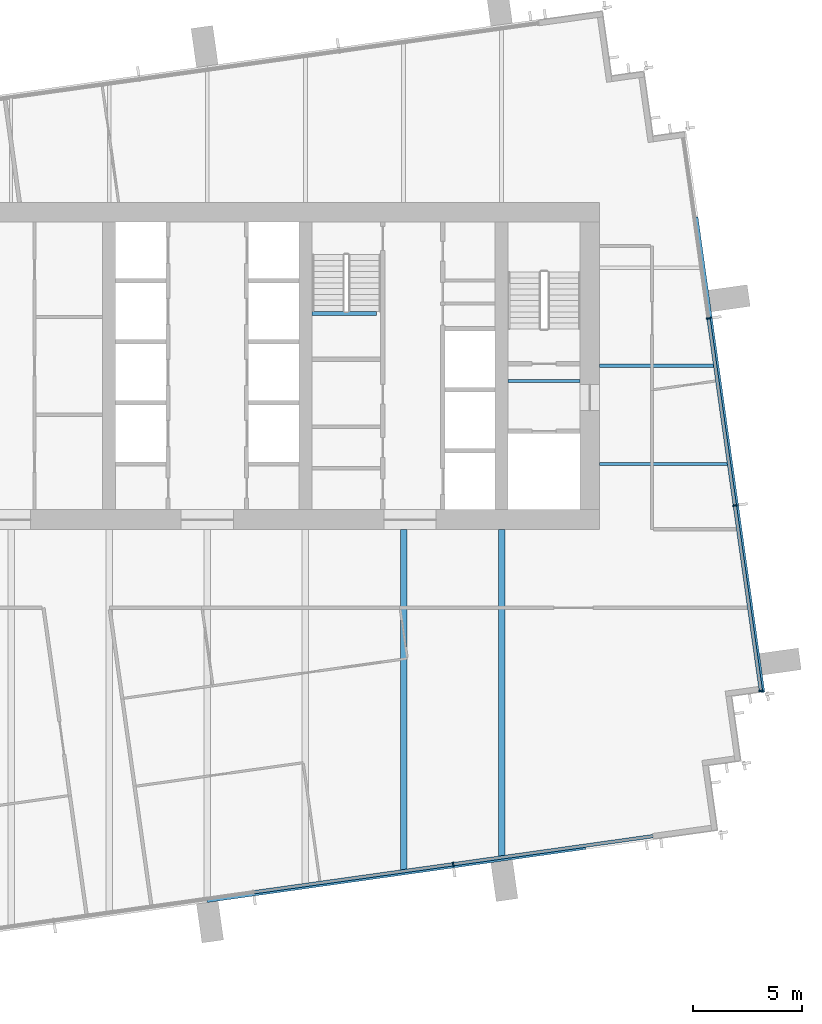
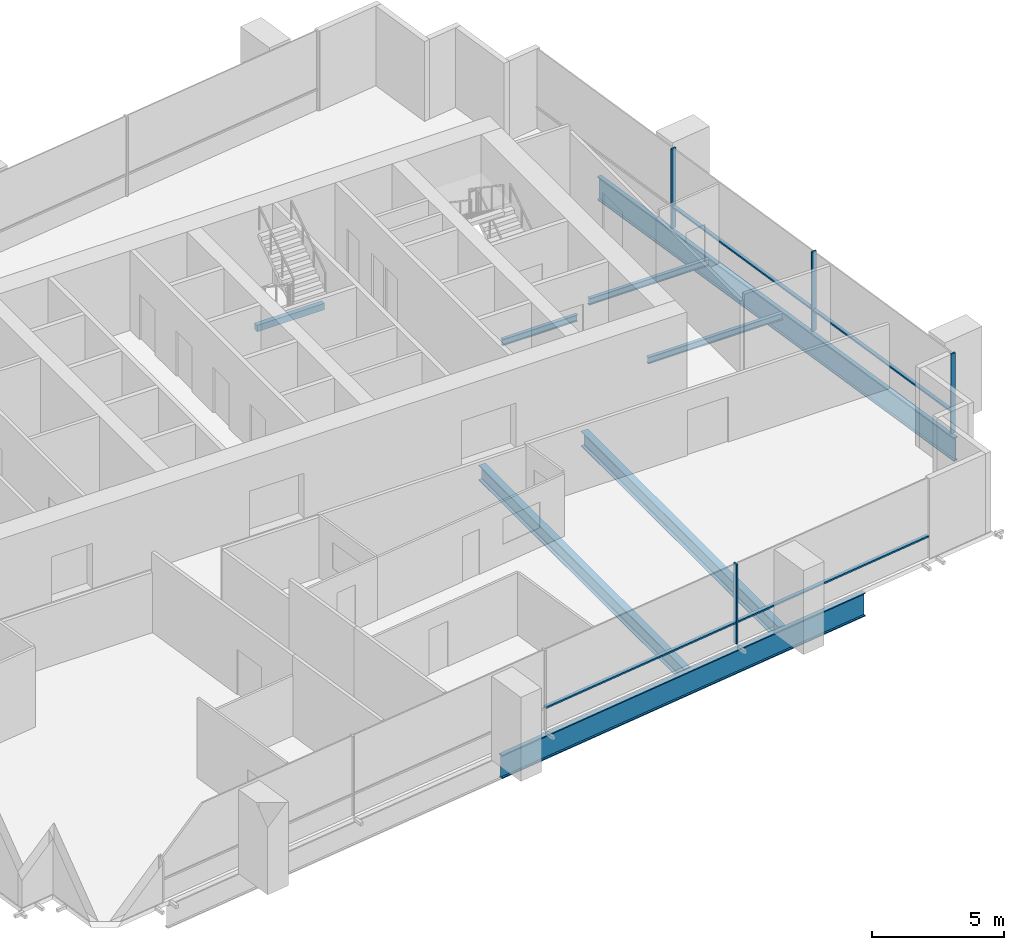
# One storey, part 4 of 12: 8 beams, 8 members, 2 elements without a shape of their own.
"""IFC4 building model written with IfcOpenShell, lengths in metres."""

from ifc_helpers import new_model, si_unit, direction, frame, origin, origin_2d, place, context, subcontext, project, spatial, rectangle, i_section, extrude, material, layer, layer_set, material_profile, profile_set, type_object, element, aggregate, save


model = new_model("IFC4")

# Units and contexts
model_context = context("Model", 3, precision=1e-05, world=origin(), true_north=direction((0.0, 1.0)))
body_context = subcontext(model_context, "Body", "Model", "MODEL_VIEW")
ifc_project = project(units=[si_unit("LENGTHUNIT", "METRE"), si_unit("AREAUNIT", "SQUARE_METRE"), si_unit("VOLUMEUNIT", "CUBIC_METRE"), si_unit("PLANEANGLEUNIT", "RADIAN"), si_unit("MASSUNIT", "GRAM", prefix="KILO")], contexts=[model_context])

# Site, building, storey
site_placement = place(None, origin())
site = spatial("IfcSite", under=ifc_project, at=site_placement, CompositionType="ELEMENT")
building_placement = place(site_placement, origin())
building = spatial("IfcBuilding", under=site, at=building_placement, Name="Rattan Terrace Tower", CompositionType="ELEMENT")
storey_placement = place(building_placement, frame((0.0, 0.0, 259.0)))
storey = spatial("IfcBuildingStorey", under=building, at=storey_placement, Name="L59", CompositionType="ELEMENT", Elevation=259.0)

# Beams
ifc_material_1 = material(Name="Concrete C40/50", Category="concrete")
ifc_material_profile_1 = material_profile(ifc_material_1, rectangle(XDim=0.199951171875, YDim=0.300048828125, at=origin_2d()), Name="RC 200x300")
ifc_profile_set_1 = profile_set([ifc_material_profile_1], Name="Concrete C40/50")
beam_type_1 = type_object("IfcBeamType", Name="Core landing beam RC 200x300", PredefinedType="BEAM", material=ifc_profile_set_1)
beam_1_placement = place(storey_placement, frame((4.800048828125, 2.39990234375, 1.60009765625), z_axis=(1.0, 0.0, 0.0), x_axis=(0.0, 1.0, 0.0)))
element("IfcBeam", 1, at=beam_1_placement, inside=storey, type_object=beam_type_1, Name="st-S3-L59 landing 1 edge beam", PredefinedType="BEAM", context=body_context, shape_type="SweptSolid", body=[
    extrude(rectangle(XDim=0.199951171875, YDim=0.300048828125, at=origin_2d()), origin(), (0.0, 0.0, 1.0), 2.949951171875),
])
ifc_material_2 = material(Name="Steel S460", Category="steel")
ifc_material_profile_2 = material_profile(ifc_material_2, i_section(OverallWidth=0.179931640625, OverallDepth=1.10009765625, WebThickness=0.01611328125, FlangeThickness=0.050048828125, at=origin_2d()), Name="PG 1100x180-16-50")
ifc_profile_set_2 = profile_set([ifc_material_profile_2], Name="Steel S460")
beam_type_2 = type_object("IfcBeamType", Name="Frame edge girder PG 1100x180-16-50", PredefinedType="SPANDREL", material=ifc_profile_set_2)
beam_2_placement = place(storey_placement, frame((17.347900390625, -22.087890625, -0.75), z_axis=(-0.990265878298, -0.139188685889, 0.0), x_axis=(0.139188685889, -0.990265878298, 0.0)))
element("IfcBeam", 2, at=beam_2_placement, inside=storey, type_object=beam_type_2, Name="gdr-L59-002", PredefinedType="SPANDREL", context=body_context, shape_type="SweptSolid", body=[
    extrude(i_section(OverallWidth=0.179931640625, OverallDepth=1.10009765625, WebThickness=0.01611328125, FlangeThickness=0.050048828125, at=origin_2d()), origin(), (0.0, 0.0, 1.0), 17.531494140625),
])
beam_3_placement = place(storey_placement, frame((22.4189453125, 6.822998046875, -0.75), z_axis=(0.139180574959, -0.990267018311, 0.0), x_axis=(0.990267018311, 0.139180574959, 0.0)))
element("IfcBeam", 3, at=beam_3_placement, inside=storey, type_object=beam_type_2, Name="gdr-L59-004", PredefinedType="SPANDREL", context=body_context, shape_type="SweptSolid", body=[
    extrude(i_section(OverallWidth=0.179931640625, OverallDepth=1.10009765625, WebThickness=0.01611328125, FlangeThickness=0.050048828125, at=origin_2d()), origin(), (0.0, 0.0, 1.0), 22.014404296875),
])
ifc_material_3 = material(Name="Steel S355", Category="steel")
ifc_material_profile_3 = material_profile(ifc_material_3, i_section(OverallWidth=0.300048828125, OverallDepth=0.699951171875, WebThickness=0.01708984375, FlangeThickness=0.031982421875, FilletRadius=0.027099609375, at=origin_2d()), Name="HE 700 B")
ifc_profile_set_3 = profile_set([ifc_material_profile_3], Name="Steel S355")
beam_type_3 = type_object("IfcBeamType", Name="Frame floor beam HE 700 B", PredefinedType="JOIST", material=ifc_profile_set_3)
beam_4_placement = place(storey_placement, frame((9.0, -23.14892578125, -0.550048828125), z_axis=(0.0, 1.0, 0.0), x_axis=(-1.0, 0.0, 0.0)))
element("IfcBeam", 4, at=beam_4_placement, inside=storey, type_object=beam_type_3, Name="bm-L59-008", PredefinedType="JOIST", context=body_context, shape_type="SweptSolid", body=[
    extrude(i_section(OverallWidth=0.300048828125, OverallDepth=0.699951171875, WebThickness=0.01708984375, FlangeThickness=0.031982421875, FilletRadius=0.027099609375, at=origin_2d()), origin(), (0.0, 0.0, 1.0), 15.64892578125),
])
beam_5_placement = place(storey_placement, frame((13.5, -22.51708984375, -0.550048828125), z_axis=(0.0, 1.0, 0.0), x_axis=(-1.0, 0.0, 0.0)))
element("IfcBeam", 5, at=beam_5_placement, inside=storey, type_object=beam_type_3, Name="bm-L59-009", PredefinedType="JOIST", context=body_context, shape_type="SweptSolid", body=[
    extrude(i_section(OverallWidth=0.300048828125, OverallDepth=0.699951171875, WebThickness=0.01708984375, FlangeThickness=0.031982421875, FilletRadius=0.027099609375, at=origin_2d()), origin(), (0.0, 0.0, 1.0), 15.01708984375),
])
ifc_material_4 = material(Name="Steel S355", Category="steel")
ifc_material_profile_4 = material_profile(ifc_material_4, i_section(OverallWidth=0.14990234375, OverallDepth=0.300048828125, WebThickness=0.007080078125, FlangeThickness=0.0107421875, FilletRadius=0.014892578125, at=origin_2d()), Name="IPE 300")
ifc_profile_set_4 = profile_set([ifc_material_profile_4], Name="Steel S355")
beam_type_4 = type_object("IfcBeamType", Name="Frame floor beam IPE 300", PredefinedType="JOIST", material=ifc_profile_set_4)
beam_6_placement = place(storey_placement, frame((13.800048828125, -0.695068359375, -0.35009765625), z_axis=(1.0, 0.0, 0.0), x_axis=(0.0, 1.0, 0.0)))
element("IfcBeam", 6, at=beam_6_placement, inside=storey, type_object=beam_type_4, Name="bm-L59-002", PredefinedType="JOIST", context=body_context, shape_type="SweptSolid", body=[
    extrude(i_section(OverallWidth=0.14990234375, OverallDepth=0.300048828125, WebThickness=0.007080078125, FlangeThickness=0.0107421875, FilletRadius=0.014892578125, at=origin_2d()), origin(), (0.0, 0.0, 1.0), 3.300048828125),
])
beam_7_placement = place(storey_placement, frame((18.0, -4.5, -0.35009765625), z_axis=(1.0, 0.0, 0.0), x_axis=(0.0, 1.0, 0.0)))
element("IfcBeam", 7, at=beam_7_placement, inside=storey, type_object=beam_type_4, Name="bm-L59-011", PredefinedType="JOIST", context=body_context, shape_type="SweptSolid", body=[
    extrude(i_section(OverallWidth=0.14990234375, OverallDepth=0.300048828125, WebThickness=0.007080078125, FlangeThickness=0.0107421875, FilletRadius=0.014892578125, at=origin_2d()), origin(), (0.0, 0.0, 1.0), 5.908935546875),
])
beam_8_placement = place(storey_placement, frame((18.0, 0.0, -0.35009765625), z_axis=(1.0, 0.0, 0.0), x_axis=(0.0, 1.0, 0.0)))
element("IfcBeam", 8, at=beam_8_placement, inside=storey, type_object=beam_type_4, Name="bm-L59-013", PredefinedType="JOIST", context=body_context, shape_type="SweptSolid", body=[
    extrude(i_section(OverallWidth=0.14990234375, OverallDepth=0.300048828125, WebThickness=0.007080078125, FlangeThickness=0.0107421875, FilletRadius=0.014892578125, at=origin_2d()), origin(), (0.0, 0.0, 1.0), 5.277099609375),
])

# Curtain wall, members
ifc_material_5 = material(Name="Aluminium and laminated glass", Category="aluminium")
ifc_layer = layer(ifc_material_5, 0.199951171875)
ifc_layer_set = layer_set([ifc_layer], Name="High-Zone Unitised Curtain Wall")
curtain_wall_type = type_object("IfcCurtainWallType", Name="High-Zone Unitised Curtain Wall", PredefinedType="NOTDEFINED", material=ifc_layer_set)
curtain_wall_1_placement = place(storey_placement, origin())
curtain_wall_1 = element("IfcCurtainWall", 9, at=curtain_wall_1_placement, inside=storey, type_object=curtain_wall_type, Name="High-zone curtain wall L59-1", PredefinedType="NOTDEFINED")
ifc_material_6 = material(Name="Aluminium", Category="aluminium")
ifc_material_profile_5 = material_profile(ifc_material_6, rectangle(XDim=0.070068359375, YDim=0.199951171875, at=origin_2d()), Name="Aluminium 70x200")
ifc_profile_set_5 = profile_set([ifc_material_profile_5], Name="Aluminium")
member_type_1 = type_object("IfcMemberType", Name="High-Zone CW Mullion 70x200", PredefinedType="MULLION", material=ifc_profile_set_5)
member_1_placement = place(storey_placement, frame((25.3916015625, -14.908447265625, 0.0), z_axis=(0.0, 0.0, 1.0), x_axis=(-0.139191775431, 0.990265444036, 0.0)))
member_1 = element("IfcMember", 10, at=member_1_placement, type_object=member_type_1, Name="Mullion cwl-L59-001.1", PredefinedType="MULLION", context=body_context, shape_type="SweptSolid", body=[
    extrude(rectangle(XDim=0.070068359375, YDim=0.199951171875, at=origin_2d()), origin(), (0.0, 0.0, 1.0), 3.699951171875),
])
member_2_placement = place(storey_placement, frame((24.1962890625, -6.405029296875, 0.0), z_axis=(0.0, 0.0, 1.0), x_axis=(-0.139191775431, 0.990265444036, 0.0)))
member_2 = element("IfcMember", 11, at=member_2_placement, type_object=member_type_1, Name="Mullion cwl-L59-001.2", PredefinedType="MULLION", context=body_context, shape_type="SweptSolid", body=[
    extrude(rectangle(XDim=0.070068359375, YDim=0.199951171875, at=origin_2d()), origin(), (0.0, 0.0, 1.0), 3.699951171875),
])
member_3_placement = place(storey_placement, frame((22.989990234375, 2.177490234375, 0.0), z_axis=(0.0, 0.0, 1.0), x_axis=(-0.139191775431, 0.990265444036, 0.0)))
member_3 = element("IfcMember", 12, at=member_3_placement, type_object=member_type_1, Name="Mullion cwl-L59-001.3", PredefinedType="MULLION", context=body_context, shape_type="SweptSolid", body=[
    extrude(rectangle(XDim=0.070068359375, YDim=0.199951171875, at=origin_2d()), origin(), (0.0, 0.0, 1.0), 3.699951171875),
])

# Curtain wall, member
curtain_wall_2_placement = place(storey_placement, origin())
curtain_wall_2 = element("IfcCurtainWall", 13, at=curtain_wall_2_placement, inside=storey, type_object=curtain_wall_type, Name="High-zone curtain wall L59-4", PredefinedType="NOTDEFINED")
member_4_placement = place(storey_placement, frame((11.27734375, -22.859619140625, 0.0), z_axis=(0.0, 0.0, 1.0), x_axis=(0.990265894013, 0.139188574079, 0.0)))
member_4 = element("IfcMember", 14, at=member_4_placement, type_object=member_type_1, Name="Mullion cwl-L59-004.4", PredefinedType="MULLION", context=body_context, shape_type="SweptSolid", body=[
    extrude(rectangle(XDim=0.070068359375, YDim=0.199951171875, at=origin_2d()), origin(), (0.0, 0.0, 1.0), 3.699951171875),
])

# Member
ifc_material_7 = material(Name="Aluminium", Category="aluminium")
ifc_material_profile_6 = material_profile(ifc_material_7, rectangle(XDim=0.159912109375, YDim=0.070068359375, at=origin_2d()), Name="Aluminium 160x70")
ifc_profile_set_6 = profile_set([ifc_material_profile_6], Name="Aluminium")
member_type_2 = type_object("IfcMemberType", Name="High-Zone CW Transom 160x70", PredefinedType="USERDEFINED", material=ifc_profile_set_6)
member_5_placement = place(storey_placement, frame((25.38671875, -14.873779296875, 1.0), z_axis=(-0.139197734293, 0.99026460644, 0.0), x_axis=(-0.99026460644, -0.139197734293, 0.0)))
member_5 = element("IfcMember", 15, at=member_5_placement, type_object=member_type_2, Name="Transom cwl-L59-001.1", ObjectType="TRANSOM", PredefinedType="USERDEFINED", context=body_context, shape_type="SweptSolid", body=[
    extrude(rectangle(XDim=0.159912109375, YDim=0.070068359375, at=origin_2d()), origin(), (0.0, 0.0, 1.0), 8.51708984375),
])

member_6_placement = place(storey_placement, frame((24.19140625, -6.370361328125, 1.0), z_axis=(-0.139182599995, 0.990266733693, 0.0), x_axis=(-0.990266733693, -0.139182599995, 0.0)))
member_6 = element("IfcMember", 16, at=member_6_placement, type_object=member_type_2, Name="Transom cwl-L59-001.2", ObjectType="TRANSOM", PredefinedType="USERDEFINED", context=body_context, shape_type="SweptSolid", body=[
    extrude(rectangle(XDim=0.159912109375, YDim=0.070068359375, at=origin_2d()), origin(), (0.0, 0.0, 1.0), 8.596923828125),
])

aggregate(curtain_wall_1, [member_1, member_2, member_3, member_5, member_6])

member_7_placement = place(storey_placement, frame((2.15283203125, -24.14208984375, 1.0), z_axis=(0.990266662415, 0.139183107123, 0.0), x_axis=(-0.139183107123, 0.990266662415, 0.0)))
member_7 = element("IfcMember", 17, at=member_7_placement, type_object=member_type_2, Name="Transom cwl-L59-004.3", ObjectType="TRANSOM", PredefinedType="USERDEFINED", context=body_context, shape_type="SweptSolid", body=[
    extrude(rectangle(XDim=0.159912109375, YDim=0.070068359375, at=origin_2d()), origin(), (0.0, 0.0, 1.0), 9.17919921875),
])

member_8_placement = place(storey_placement, frame((11.31201171875, -22.854736328125, 1.0), z_axis=(0.990263767768, 0.139203700545, 0.0), x_axis=(-0.139203700545, 0.990263767768, 0.0)))
member_8 = element("IfcMember", 18, at=member_8_placement, type_object=member_type_2, Name="Transom cwl-L59-004.4", ObjectType="TRANSOM", PredefinedType="USERDEFINED", context=body_context, shape_type="SweptSolid", body=[
    extrude(rectangle(XDim=0.159912109375, YDim=0.070068359375, at=origin_2d()), origin(), (0.0, 0.0, 1.0), 9.21826171875),
])

aggregate(curtain_wall_2, [member_4, member_7, member_8])

save(model, "model.ifc")
